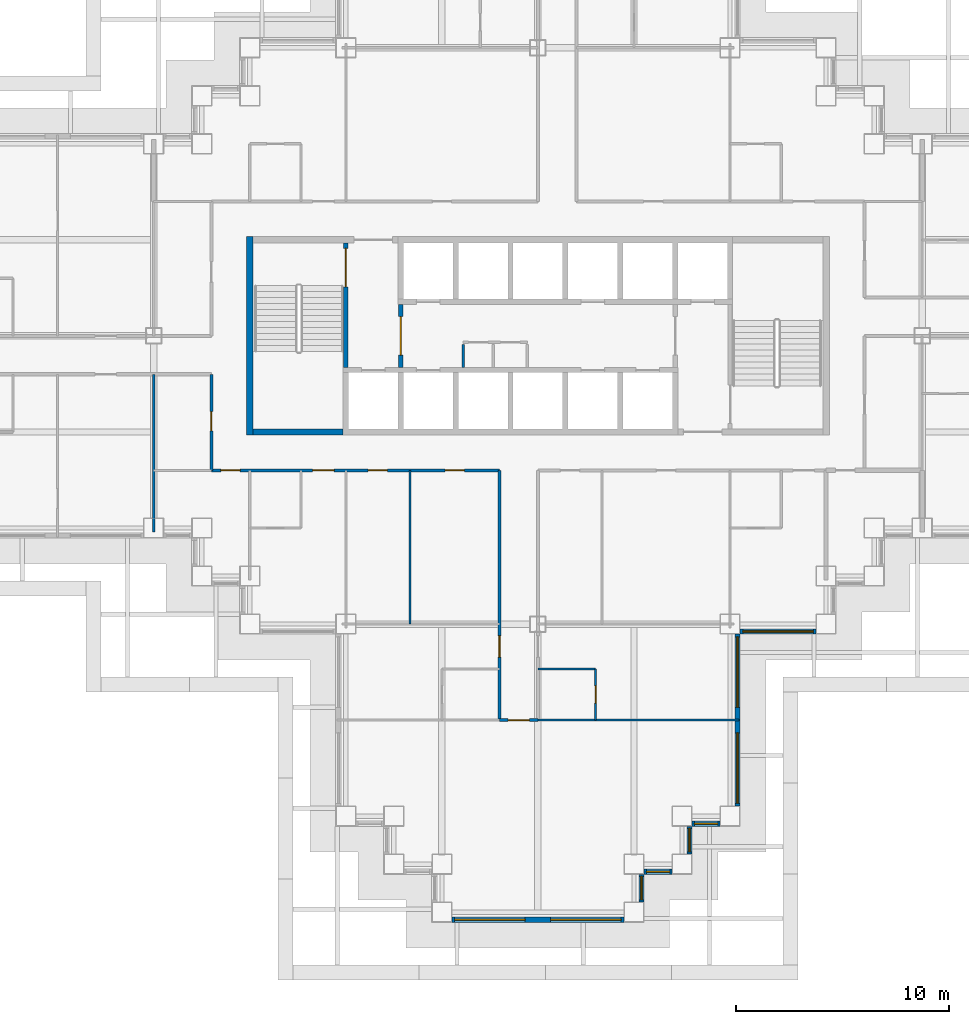
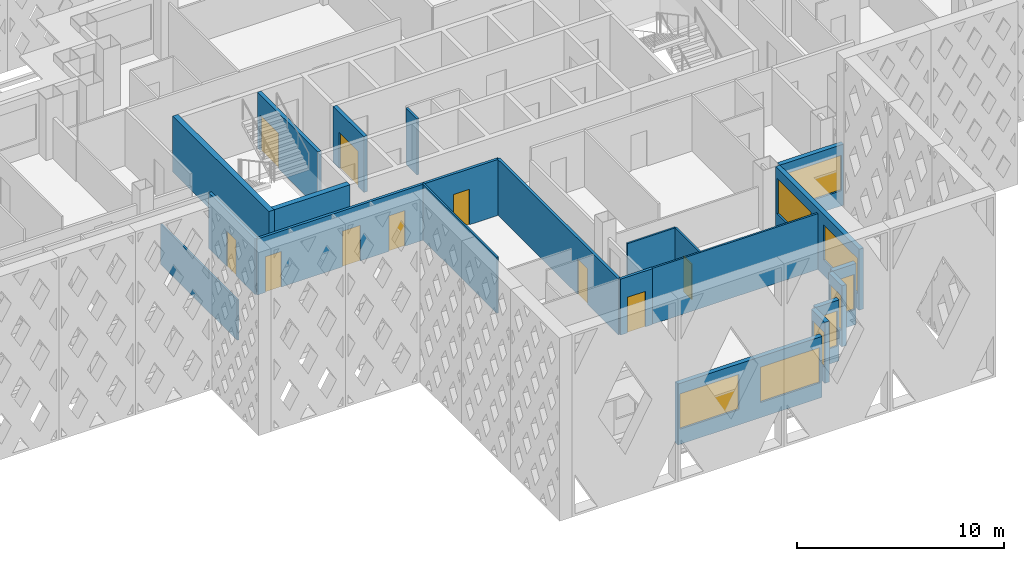
# One storey, part 4 of 19: 21 walls, 10 doors, 9 windows, 19 openings.
"""IFC4 building model written with IfcOpenShell, lengths in metres."""

import ifcopenshell
import ifcopenshell.guid

model = None  # the IFC model being written
_history = None  # IfcOwnerHistory: only IFC2X3 demands one
_inside = {}  # id of a spatial element -> (the spatial element, [elements in it])
_under = {}  # id of a project, library or spatial element -> (it, [spatial elements below it])
_declared = {}  # id of a project -> (the project, [libraries it declares])
_typed = {}  # id of a type object -> (the type object, [elements of that type])
_made_of = {}  # id of a material, layer set ... -> (it, [elements and type objects made of it])


def new_model(schema):
    """Start an empty IFC model of exactly this schema.

    Asked for "IFC4X3", IfcOpenShell would pick the latest addendum, in which some entities
    have other attributes; the version numbers below select the first issue.
    IFC2X3 requires an IfcOwnerHistory on every rooted entity: one is made here for all.
    """
    global model, _history
    if schema == "IFC4X3":
        model = ifcopenshell.file(schema_version=(4, 3, 0, 0))
    else:
        model = ifcopenshell.file(schema=schema)
    _inside.clear()
    _under.clear()
    _declared.clear()
    _typed.clear()
    _made_of.clear()
    _history = None
    if model.schema == "IFC2X3":
        org = make("IfcOrganization", Name="unknown")
        user = make(
            "IfcPersonAndOrganization",
            ThePerson=make("IfcPerson", FamilyName="unknown"),
            TheOrganization=org,
        )
        app = make(
            "IfcApplication",
            ApplicationDeveloper=org,
            Version="unknown",
            ApplicationFullName="unknown",
            ApplicationIdentifier="unknown",
        )
        _history = make(
            "IfcOwnerHistory",
            OwningUser=user,
            OwningApplication=app,
            ChangeAction="ADDED",
            CreationDate=0,
        )
    return model


def make(cls, **values):
    """One entity of the class cls with the attributes given. An attribute that is None is left unset."""
    return model.create_entity(
        cls, **{name: value for name, value in values.items() if value is not None}
    )


def rooted(cls, **values):
    """An entity with a GlobalId (a new one), such as an element, a storey or a relation."""
    return make(cls, GlobalId=ifcopenshell.guid.new(), OwnerHistory=_history, **values)


def si_unit(unit_type, name, prefix=None):
    """IfcSIUnit, for example si_unit("LENGTHUNIT", "METRE", prefix="MILLI")."""
    return make("IfcSIUnit", UnitType=unit_type, Prefix=prefix, Name=name)


def assignment(units):
    """IfcUnitAssignment: the units of a project."""
    return None if units is None else make("IfcUnitAssignment", Units=units)


def point(xyz):
    """IfcCartesianPoint."""
    return None if xyz is None else make("IfcCartesianPoint", Coordinates=xyz)


def direction(xyz):
    """IfcDirection."""
    return None if xyz is None else make("IfcDirection", DirectionRatios=xyz)


def frame(location, z_axis=None, x_axis=None):
    """IfcAxis2Placement3D, a coordinate frame: its origin and axes. An axis left out is left unset."""
    return make(
        "IfcAxis2Placement3D",
        Location=point(location),
        Axis=direction(z_axis),
        RefDirection=direction(x_axis),
    )


def frame_2d(location, x_axis=None):
    """IfcAxis2Placement2D, a coordinate frame in the plane: its origin and x axis."""
    return make(
        "IfcAxis2Placement2D", Location=point(location), RefDirection=direction(x_axis)
    )


def origin():
    """The frame at (0, 0, 0) with its axes left unset."""
    return frame((0.0, 0.0, 0.0))


def place(relative_to, where):
    """IfcLocalPlacement: puts the frame where relative to a parent placement (None: the world)."""
    return make(
        "IfcLocalPlacement", PlacementRelTo=relative_to, RelativePlacement=where
    )


def context(
    kind, dimensions, precision=None, world=None, true_north=None, identifier=None
):
    """IfcGeometricRepresentationContext, for example the 3D "Model" context."""
    return make(
        "IfcGeometricRepresentationContext",
        ContextIdentifier=identifier,
        ContextType=kind,
        CoordinateSpaceDimension=dimensions,
        Precision=precision,
        WorldCoordinateSystem=world,
        TrueNorth=true_north,
    )


def subcontext(parent, identifier, kind, view, scale=None):
    """IfcGeometricRepresentationSubContext, for example "Body" below "Model"."""
    return make(
        "IfcGeometricRepresentationSubContext",
        ContextIdentifier=identifier,
        ContextType=kind,
        ParentContext=parent,
        TargetScale=scale,
        TargetView=view,
    )


def project(units=None, contexts=None):
    """IfcProject with its units and contexts."""
    return rooted(
        "IfcProject",
        Name="project",
        RepresentationContexts=contexts,
        UnitsInContext=assignment(units),
    )


def spatial(cls, under=None, at=None, **own):
    """A site, building, storey or space (cls), placed at a placement, below another one or the project."""
    s = rooted(cls, ObjectPlacement=at, **own)
    if under is not None:
        _under.setdefault(under.id(), (under, []))[1].append(s)
    return s


def profile(cls, at=None, kind="AREA", **sizes):
    """A parametric profile (cls). Its sizes go by their IFC names, for example OverallWidth=200.0."""
    return make(cls, ProfileType=kind, Position=at, **sizes)


def rectangle(**sizes):
    """IfcRectangleProfileDef."""
    return profile("IfcRectangleProfileDef", **sizes)


def extrude(swept, where, along, depth):
    """IfcExtrudedAreaSolid: the profile swept, set in the frame where, extruded along a direction by depth."""
    return make(
        "IfcExtrudedAreaSolid",
        SweptArea=swept,
        Position=where,
        ExtrudedDirection=direction(along),
        Depth=depth,
    )


def shape(context_of_items, identifier, shape_type, items):
    """IfcShapeRepresentation: the items that make up one representation, for example the "Body"."""
    return make(
        "IfcShapeRepresentation",
        ContextOfItems=context_of_items,
        RepresentationIdentifier=identifier,
        RepresentationType=shape_type,
        Items=items,
    )


def material(Name=None, Category=None):
    """IfcMaterial."""
    return make("IfcMaterial", Name=Name, Category=Category)


def layer(
    of_material, thickness, ventilated=None, Name=None, Category=None, Priority=None
):
    """IfcMaterialLayer: one layer of a wall or slab, of a material (None: an air gap)."""
    return make(
        "IfcMaterialLayer",
        Material=of_material,
        LayerThickness=thickness,
        IsVentilated=ventilated,
        Name=Name,
        Category=Category,
        Priority=Priority,
    )


def layer_set(layers, Name=None):
    """IfcMaterialLayerSet."""
    return make("IfcMaterialLayerSet", MaterialLayers=layers, LayerSetName=Name)


def made_of(thing, what):
    """Note that an element or type object is made of a material, layer set ...; save() writes the relation."""
    if what is not None:
        _made_of.setdefault(what.id(), (what, []))[1].append(thing)
    return thing


def type_object(cls, material=None, **own):
    """A type object (cls), such as IfcWallType, which elements share."""
    return made_of(rooted(cls, **own), material)


def element(
    cls,
    number,
    at=None,
    inside=None,
    cuts=None,
    type_object=None,
    material=None,
    context=None,
    identifier="Body",
    shape_type=None,
    held_by="IfcProductDefinitionShape",
    body=None,
    shapes=None,
    **own,
):
    """One element of the class cls, such as IfcWall. Its Tag is "e" and its number.

    at: its placement. inside: the storey or other place that contains it. cuts: it is an
    opening in that element (IfcRelVoidsElement). A single representation is given by context,
    identifier, shape_type and body (its items); several are given by shapes. held_by: the class
    of the entity that holds the representations. save() writes the other relations.
    """
    e = rooted(cls, Tag="e%d" % number, ObjectPlacement=at, **own)
    if body is not None:
        shapes = [shape(context, identifier, shape_type, body)]
    if shapes is not None:
        e.Representation = make(held_by, Representations=shapes)
    if inside is not None:
        _inside.setdefault(inside.id(), (inside, []))[1].append(e)
    if cuts is not None:
        rooted(
            "IfcRelVoidsElement", RelatingBuildingElement=cuts, RelatedOpeningElement=e
        )
    if type_object is not None:
        _typed.setdefault(type_object.id(), (type_object, []))[1].append(e)
    return made_of(e, material)


def fill(opening, filler):
    """IfcRelFillsElement: the door or window that sits in an opening."""
    return rooted(
        "IfcRelFillsElement",
        RelatingOpeningElement=opening,
        RelatedBuildingElement=filler,
    )


def aggregate(whole, parts):
    """IfcRelAggregates: a whole, such as a stair, and the parts it consists of."""
    return rooted("IfcRelAggregates", RelatingObject=whole, RelatedObjects=parts)


def save(model, path):
    """Write the relations noted so far, then the file.

    IfcRelAggregates (storeys below a building ...), IfcRelContainedInSpatialStructure (elements
    in a storey), IfcRelDefinesByType, IfcRelAssociatesMaterial and IfcRelDeclares: one each for
    every whole, place, type object, material and project.
    """
    for whole, parts in _under.values():
        aggregate(whole, parts)
    for where, things in _inside.values():
        rooted(
            "IfcRelContainedInSpatialStructure",
            RelatedElements=things,
            RelatingStructure=where,
        )
    for kind, things in _typed.values():
        rooted("IfcRelDefinesByType", RelatedObjects=things, RelatingType=kind)
    for what, things in _made_of.values():
        rooted("IfcRelAssociatesMaterial", RelatedObjects=things, RelatingMaterial=what)
    for by, libraries in _declared.values():
        rooted("IfcRelDeclares", RelatingContext=by, RelatedDefinitions=libraries)
    model.write(path)


model = new_model("IFC4")

# Units and contexts
model_context = context("Model", 3, precision=1e-05, world=origin(), true_north=direction((0.0, 1.0)))
body_context = subcontext(model_context, "Body", "Model", "MODEL_VIEW")
ifc_project = project(units=[si_unit("LENGTHUNIT", "METRE"), si_unit("AREAUNIT", "SQUARE_METRE"), si_unit("VOLUMEUNIT", "CUBIC_METRE"), si_unit("PLANEANGLEUNIT", "RADIAN"), si_unit("MASSUNIT", "GRAM", prefix="KILO")], contexts=[model_context])

# Site, building, storey
site_placement = place(None, origin())
site = spatial("IfcSite", under=ifc_project, at=site_placement, CompositionType="ELEMENT")
building_placement = place(site_placement, origin())
building = spatial("IfcBuilding", under=site, at=building_placement, Name="Caravel Reach Hotel and Residences", CompositionType="ELEMENT")
storey_placement = place(building_placement, frame((0.0, 0.0, 85.199951171875)))
storey = spatial("IfcBuildingStorey", under=building, at=storey_placement, Name="L20", CompositionType="ELEMENT", Elevation=85.199951171875)

# Wall
ifc_material_1 = material(Name="Gypsum board on steel stud", Category="steel")
ifc_layer_1 = layer(ifc_material_1, 0.10009765625)
ifc_layer_set_1 = layer_set([ifc_layer_1], Name="Bathroom pod wall 100 mm")
wall_type_1 = type_object("IfcWallType", Name="Bathroom pod wall 100 mm", PredefinedType="PARTITIONING", material=ifc_layer_set_1)
wall_1_placement = place(storey_placement, frame((31.5, 11.39990234375, 0.0), z_axis=(0.0, 0.0, 1.0), x_axis=(1.0, 0.0, 0.0)))
element("IfcWall", 1, at=wall_1_placement, inside=storey, type_object=wall_type_1, Name="L20 wall w071", PredefinedType="PARTITIONING", context=body_context, shape_type="SweptSolid", body=[
    extrude(rectangle(XDim=2.699951171875, YDim=0.10009765625, at=frame_2d((1.35009765625, 0.0))), origin(), (0.0, 0.0, 1.0), 3.300048828125),
])

# Wall, opening, door
wall_2_placement = place(storey_placement, frame((34.199951171875, 9.0, 0.0), z_axis=(0.0, 0.0, 1.0), x_axis=(0.0, 1.0, 0.0)))
wall_2 = element("IfcWall", 2, at=wall_2_placement, inside=storey, type_object=wall_type_1, Name="L20 wall w088", PredefinedType="PARTITIONING", context=body_context, shape_type="SweptSolid", body=[
    extrude(rectangle(XDim=2.39990234375, YDim=0.10009765625, at=frame_2d((1.199951171875, 0.0))), origin(), (0.0, 0.0, 1.0), 3.300048828125),
])
opening_1_placement = place(wall_2_placement, frame((0.800048828125, 0.0, 0.0)))
opening_1 = element("IfcOpeningElement", 3, at=opening_1_placement, cuts=wall_2, Name="Opening D20-033", PredefinedType="OPENING", context=body_context, shape_type="SweptSolid", body=[
    extrude(rectangle(XDim=0.800048828125, YDim=2.10009765625, at=frame_2d((0.39990234375, 1.050048828125))), frame((0.0, 0.06005859375, 0.0), z_axis=(0.0, -1.0, 0.0), x_axis=(1.0, 0.0, 0.0)), (0.0, 0.0, 1.0), 0.1201171875),
])
ifc_material_2 = material(Name="Timber and steel door leaf", Category="steel")
door_type_1 = type_object("IfcDoorType", Name="Bathroom door 800 x 2100", OperationType="SINGLE_SWING_LEFT", PredefinedType="DOOR", material=ifc_material_2)
door_1_placement = place(opening_1_placement, origin())
door_1 = element("IfcDoor", 4, at=door_1_placement, inside=storey, type_object=door_type_1, Name="door D20-033", OperationType="SINGLE_SWING_LEFT", OverallHeight=2.10009765625, OverallWidth=0.800048828125, PredefinedType="DOOR", context=body_context, shape_type="SweptSolid", body=[
    extrude(rectangle(XDim=0.800048828125, YDim=2.10009765625, at=frame_2d((0.39990234375, 1.050048828125))), frame((0.0, 0.02490234375, 0.0), z_axis=(0.0, -1.0, 0.0), x_axis=(1.0, 0.0, 0.0)), (0.0, 0.0, 1.0), 0.050048828125),
])
fill(opening_1, door_1)

# Walls
ifc_material_3 = material(Name="Concrete C60", Category="concrete")
ifc_layer_2 = layer(ifc_material_3, 0.300048828125)
ifc_layer_set_2 = layer_set([ifc_layer_2], Name="Core wall 300 mm EI 120")
wall_type_2 = type_object("IfcWallType", Name="Core wall 300 mm EI 120", PredefinedType="SHEAR", material=ifc_layer_set_2)
wall_3_placement = place(storey_placement, frame((18.14990234375, 22.5, 0.0), z_axis=(0.0, 0.0, 1.0), x_axis=(1.0, 0.0, 0.0)))
element("IfcWall", 5, at=wall_3_placement, inside=storey, type_object=wall_type_2, Name="L20 core wall S1", PredefinedType="SHEAR", context=body_context, shape_type="SweptSolid", body=[
    extrude(rectangle(XDim=4.22509765625, YDim=0.300048828125, at=frame_2d((2.112548828125, 0.0))), origin(), (0.0, 0.0, 1.0), 3.300048828125),
])
wall_4_placement = place(storey_placement, frame((18.0, 22.35009765625, 0.0), z_axis=(0.0, 0.0, 1.0), x_axis=(0.0, 1.0, 0.0)))
element("IfcWall", 6, at=wall_4_placement, inside=storey, type_object=wall_type_2, Name="L20 core wall W", PredefinedType="SHEAR", context=body_context, shape_type="SweptSolid", body=[
    extrude(rectangle(XDim=9.2998046875, YDim=0.300048828125, at=frame_2d((4.64990234375, 0.0))), origin(), (0.0, 0.0, 1.0), 3.300048828125),
])

# Wall, openings, doors
ifc_material_4 = material(Name="Gypsum board on steel stud, fire-rated", Category="steel")
ifc_layer_3 = layer(ifc_material_4, 0.14990234375)
ifc_layer_set_3 = layer_set([ifc_layer_3], Name="Corridor wall 150 mm EI 60")
wall_type_3 = type_object("IfcWallType", Name="Corridor wall 150 mm EI 60", PredefinedType="PARTITIONING", material=ifc_layer_set_3)
wall_5_placement = place(storey_placement, frame((16.199951171875, 20.699951171875, 0.0), z_axis=(0.0, 0.0, 1.0), x_axis=(1.0, 0.0, 0.0)))
wall_5 = element("IfcWall", 7, at=wall_5_placement, inside=storey, type_object=wall_type_3, Name="L20 wall w007", PredefinedType="PARTITIONING", context=body_context, shape_type="SweptSolid", body=[
    extrude(rectangle(XDim=13.5, YDim=0.14990234375, at=frame_2d((6.75, 0.0))), origin(), (0.0, 0.0, 1.0), 3.300048828125),
])
opening_2_placement = place(wall_5_placement, frame((4.75, 0.0, 0.0)))
opening_2 = element("IfcOpeningElement", 8, at=opening_2_placement, cuts=wall_5, Name="Opening D20-042", PredefinedType="OPENING", context=body_context, shape_type="SweptSolid", body=[
    extrude(rectangle(XDim=1.0, YDim=2.10009765625, at=frame_2d((0.5, 1.050048828125))), frame((0.0, 0.0849609375, 0.0), z_axis=(0.0, -1.0, 0.0), x_axis=(1.0, 0.0, 0.0)), (0.0, 0.0, 1.0), 0.169921875),
])
opening_3_placement = place(wall_5_placement, frame((0.449951171875, 0.0, 0.0)))
opening_3 = element("IfcOpeningElement", 9, at=opening_3_placement, cuts=wall_5, Name="Opening D20-044", PredefinedType="OPENING", context=body_context, shape_type="SweptSolid", body=[
    extrude(rectangle(XDim=0.89990234375, YDim=2.10009765625, at=frame_2d((0.449951171875, 1.050048828125))), frame((0.0, 0.0849609375, 0.0), z_axis=(0.0, -1.0, 0.0), x_axis=(1.0, 0.0, 0.0)), (0.0, 0.0, 1.0), 0.169921875),
])
opening_4_placement = place(wall_5_placement, frame((7.35009765625, 0.0, 0.0)))
opening_4 = element("IfcOpeningElement", 10, at=opening_4_placement, cuts=wall_5, Name="Opening D20-050", PredefinedType="OPENING", context=body_context, shape_type="SweptSolid", body=[
    extrude(rectangle(XDim=0.89990234375, YDim=2.10009765625, at=frame_2d((0.449951171875, 1.050048828125))), frame((0.0, 0.0849609375, 0.0), z_axis=(0.0, -1.0, 0.0), x_axis=(1.0, 0.0, 0.0)), (0.0, 0.0, 1.0), 0.169921875),
])
opening_5_placement = place(wall_5_placement, frame((10.949951171875, 0.0, 0.0)))
opening_5 = element("IfcOpeningElement", 11, at=opening_5_placement, cuts=wall_5, Name="Opening D20-051", PredefinedType="OPENING", context=body_context, shape_type="SweptSolid", body=[
    extrude(rectangle(XDim=0.89990234375, YDim=2.10009765625, at=frame_2d((0.449951171875, 1.050048828125))), frame((0.0, 0.0849609375, 0.0), z_axis=(0.0, -1.0, 0.0), x_axis=(1.0, 0.0, 0.0)), (0.0, 0.0, 1.0), 0.169921875),
])
ifc_material_5 = material(Name="Timber and steel door leaf", Category="steel")
door_type_2 = type_object("IfcDoorType", Name="Door 900 x 2100 timber", OperationType="SINGLE_SWING_LEFT", PredefinedType="DOOR", material=ifc_material_5)
door_2_placement = place(opening_3_placement, origin())
door_2 = element("IfcDoor", 12, at=door_2_placement, inside=storey, type_object=door_type_2, Name="door D20-044", OperationType="SINGLE_SWING_RIGHT", OverallHeight=2.10009765625, OverallWidth=0.89990234375, PredefinedType="DOOR", context=body_context, shape_type="SweptSolid", body=[
    extrude(rectangle(XDim=0.89990234375, YDim=2.10009765625, at=frame_2d((0.449951171875, 1.050048828125))), frame((0.0, 0.02490234375, 0.0), z_axis=(0.0, -1.0, 0.0), x_axis=(1.0, 0.0, 0.0)), (0.0, 0.0, 1.0), 0.050048828125),
])
fill(opening_3, door_2)
door_3_placement = place(opening_4_placement, origin())
door_3 = element("IfcDoor", 13, at=door_3_placement, inside=storey, type_object=door_type_2, Name="door D20-050", OperationType="SINGLE_SWING_RIGHT", OverallHeight=2.10009765625, OverallWidth=0.89990234375, PredefinedType="DOOR", context=body_context, shape_type="SweptSolid", body=[
    extrude(rectangle(XDim=0.89990234375, YDim=2.10009765625, at=frame_2d((0.449951171875, 1.050048828125))), frame((0.0, 0.02490234375, 0.0), z_axis=(0.0, -1.0, 0.0), x_axis=(1.0, 0.0, 0.0)), (0.0, 0.0, 1.0), 0.050048828125),
])
fill(opening_4, door_3)
door_4_placement = place(opening_5_placement, origin())
door_4 = element("IfcDoor", 14, at=door_4_placement, inside=storey, type_object=door_type_2, Name="door D20-051", OperationType="SINGLE_SWING_RIGHT", OverallHeight=2.10009765625, OverallWidth=0.89990234375, PredefinedType="DOOR", context=body_context, shape_type="SweptSolid", body=[
    extrude(rectangle(XDim=0.89990234375, YDim=2.10009765625, at=frame_2d((0.449951171875, 1.050048828125))), frame((0.0, 0.02490234375, 0.0), z_axis=(0.0, -1.0, 0.0), x_axis=(1.0, 0.0, 0.0)), (0.0, 0.0, 1.0), 0.050048828125),
])
fill(opening_5, door_4)
ifc_material_6 = material(Name="Steel fire door leaf", Category="steel")
door_type_3 = type_object("IfcDoorType", Name="Guest room door 1000 x 2100 EI 30", OperationType="SINGLE_SWING_LEFT", PredefinedType="DOOR", material=ifc_material_6)
door_5_placement = place(opening_2_placement, origin())
door_5 = element("IfcDoor", 15, at=door_5_placement, inside=storey, type_object=door_type_3, Name="door D20-042", OperationType="SINGLE_SWING_RIGHT", OverallHeight=2.10009765625, OverallWidth=1.0, PredefinedType="DOOR", context=body_context, shape_type="SweptSolid", body=[
    extrude(rectangle(XDim=1.0, YDim=2.10009765625, at=frame_2d((0.5, 1.050048828125))), frame((0.0, 0.02490234375, 0.0), z_axis=(0.0, -1.0, 0.0), x_axis=(1.0, 0.0, 0.0)), (0.0, 0.0, 1.0), 0.050048828125),
])
fill(opening_2, door_5)

# Wall, opening, door
wall_6_placement = place(storey_placement, frame((29.699951171875, 9.0, 0.0), z_axis=(0.0, 0.0, 1.0), x_axis=(1.0, 0.0, 0.0)))
wall_6 = element("IfcWall", 16, at=wall_6_placement, inside=storey, type_object=wall_type_3, Name="L20 wall w023", PredefinedType="PARTITIONING", context=body_context, shape_type="SweptSolid", body=[
    extrude(rectangle(XDim=1.800048828125, YDim=0.14990234375, at=frame_2d((0.89990234375, 0.0))), origin(), (0.0, 0.0, 1.0), 3.300048828125),
])
opening_6_placement = place(wall_6_placement, frame((0.39990234375, 0.0, 0.0)))
opening_6 = element("IfcOpeningElement", 17, at=opening_6_placement, cuts=wall_6, Name="Opening D20-037", PredefinedType="OPENING", context=body_context, shape_type="SweptSolid", body=[
    extrude(rectangle(XDim=1.0, YDim=2.10009765625, at=frame_2d((0.5, 1.050048828125))), frame((0.0, 0.0849609375, 0.0), z_axis=(0.0, -1.0, 0.0), x_axis=(1.0, 0.0, 0.0)), (0.0, 0.0, 1.0), 0.169921875),
])
door_6_placement = place(opening_6_placement, origin())
door_6 = element("IfcDoor", 18, at=door_6_placement, inside=storey, type_object=door_type_3, Name="door D20-037", OperationType="SINGLE_SWING_LEFT", OverallHeight=2.10009765625, OverallWidth=1.0, PredefinedType="DOOR", context=body_context, shape_type="SweptSolid", body=[
    extrude(rectangle(XDim=1.0, YDim=2.10009765625, at=frame_2d((0.5, 1.050048828125))), frame((0.0, 0.02490234375, 0.0), z_axis=(0.0, -1.0, 0.0), x_axis=(1.0, 0.0, 0.0)), (0.0, 0.0, 1.0), 0.050048828125),
])
fill(opening_6, door_6)

wall_7_placement = place(storey_placement, frame((16.199951171875, 20.699951171875, 0.0), z_axis=(0.0, 0.0, 1.0), x_axis=(0.0, 1.0, 0.0)))
wall_7 = element("IfcWall", 19, at=wall_7_placement, inside=storey, type_object=wall_type_3, Name="L20 wall w025", PredefinedType="PARTITIONING", context=body_context, shape_type="SweptSolid", body=[
    extrude(rectangle(XDim=4.5, YDim=0.14990234375, at=frame_2d((2.25, 0.0))), origin(), (0.0, 0.0, 1.0), 3.300048828125),
])
opening_7_placement = place(wall_7_placement, frame((1.85009765625, 0.0, 0.0)))
opening_7 = element("IfcOpeningElement", 20, at=opening_7_placement, cuts=wall_7, Name="Opening D20-054", PredefinedType="OPENING", context=body_context, shape_type="SweptSolid", body=[
    extrude(rectangle(XDim=0.89990234375, YDim=2.10009765625, at=frame_2d((0.449951171875, 1.050048828125))), frame((0.0, 0.0849609375, 0.0), z_axis=(0.0, -1.0, 0.0), x_axis=(1.0, 0.0, 0.0)), (0.0, 0.0, 1.0), 0.169921875),
])
door_7_placement = place(opening_7_placement, origin())
door_7 = element("IfcDoor", 21, at=door_7_placement, inside=storey, type_object=door_type_2, Name="door D20-054", OperationType="SINGLE_SWING_RIGHT", OverallHeight=2.10009765625, OverallWidth=0.89990234375, PredefinedType="DOOR", context=body_context, shape_type="SweptSolid", body=[
    extrude(rectangle(XDim=0.89990234375, YDim=2.10009765625, at=frame_2d((0.449951171875, 1.050048828125))), frame((0.0, 0.02490234375, 0.0), z_axis=(0.0, -1.0, 0.0), x_axis=(1.0, 0.0, 0.0)), (0.0, 0.0, 1.0), 0.050048828125),
])
fill(opening_7, door_7)

wall_8_placement = place(storey_placement, frame((29.699951171875, 9.0, 0.0), z_axis=(0.0, 0.0, 1.0), x_axis=(0.0, 1.0, 0.0)))
wall_8 = element("IfcWall", 22, at=wall_8_placement, inside=storey, type_object=wall_type_3, Name="L20 wall w026", PredefinedType="PARTITIONING", context=body_context, shape_type="SweptSolid", body=[
    extrude(rectangle(XDim=11.699951171875, YDim=0.14990234375, at=frame_2d((5.85009765625, 0.0))), origin(), (0.0, 0.0, 1.0), 3.300048828125),
])
opening_8_placement = place(wall_8_placement, frame((2.949951171875, 0.0, 0.0)))
opening_8 = element("IfcOpeningElement", 23, at=opening_8_placement, cuts=wall_8, Name="Opening D20-030", PredefinedType="OPENING", context=body_context, shape_type="SweptSolid", body=[
    extrude(rectangle(XDim=1.0, YDim=2.10009765625, at=frame_2d((0.5, 1.050048828125))), frame((0.0, 0.0849609375, 0.0), z_axis=(0.0, -1.0, 0.0), x_axis=(1.0, 0.0, 0.0)), (0.0, 0.0, 1.0), 0.169921875),
])
door_8_placement = place(opening_8_placement, origin())
door_8 = element("IfcDoor", 24, at=door_8_placement, inside=storey, type_object=door_type_3, Name="door D20-030", OperationType="SINGLE_SWING_RIGHT", OverallHeight=2.10009765625, OverallWidth=1.0, PredefinedType="DOOR", context=body_context, shape_type="SweptSolid", body=[
    extrude(rectangle(XDim=1.0, YDim=2.10009765625, at=frame_2d((0.5, 1.050048828125))), frame((0.0, 0.02490234375, 0.0), z_axis=(0.0, -1.0, 0.0), x_axis=(1.0, 0.0, 0.0)), (0.0, 0.0, 1.0), 0.050048828125),
])
fill(opening_8, door_8)

# Wall, openings, windows
ifc_material_7 = material(Name="Insulated rainscreen wall, aluminium cladding", Category="aluminium")
ifc_layer_4 = layer(ifc_material_7, 0.25)
ifc_layer_set_4 = layer_set([ifc_layer_4], Name="EW1 Tower rainscreen wall")
wall_type_4 = type_object("IfcWallType", Name="EW1 Tower rainscreen wall", PredefinedType="SOLIDWALL", material=ifc_layer_set_4)
wall_9_placement = place(storey_placement, frame((27.47509765625, -0.35009765625, 0.0), z_axis=(0.0, 0.0, 1.0), x_axis=(1.0, 0.0, 0.0)))
wall_9 = element("IfcWall", 25, at=wall_9_placement, inside=storey, type_object=wall_type_4, Name="External wall L20 S5.1", PredefinedType="SOLIDWALL", context=body_context, shape_type="SweptSolid", body=[
    extrude(rectangle(XDim=8.0498046875, YDim=0.25, at=frame_2d((4.02490234375, 0.0))), origin(), (0.0, 0.0, 1.0), 3.60009765625),
])
opening_9_placement = place(wall_9_placement, frame((0.125, 0.0, 0.89990234375)))
opening_9 = element("IfcOpeningElement", 26, at=opening_9_placement, cuts=wall_9, Name="Opening WN4", PredefinedType="OPENING", context=body_context, shape_type="SweptSolid", body=[
    extrude(rectangle(XDim=3.300048828125, YDim=2.080078125, at=frame_2d((1.64990234375, 1.0400390625))), frame((0.0, 0.135009765625, 0.0), z_axis=(0.0, -1.0, 0.0), x_axis=(1.0, 0.0, 0.0)), (0.0, 0.0, 1.0), 0.27001953125),
])
opening_10_placement = place(wall_9_placement, frame((4.625, 0.0, 0.89990234375)))
opening_10 = element("IfcOpeningElement", 27, at=opening_10_placement, cuts=wall_9, Name="Opening WN4", PredefinedType="OPENING", context=body_context, shape_type="SweptSolid", body=[
    extrude(rectangle(XDim=3.300048828125, YDim=2.080078125, at=frame_2d((1.64990234375, 1.0400390625))), frame((0.0, 0.135009765625, 0.0), z_axis=(0.0, -1.0, 0.0), x_axis=(1.0, 0.0, 0.0)), (0.0, 0.0, 1.0), 0.27001953125),
])
ifc_material_8 = material(Name="Dark low-e glazing in black aluminium frame", Category="aluminium")
window_type_1 = type_object("IfcWindowType", Name="Hotel guest room window 3300 x 2080", PartitioningType="SINGLE_PANEL", PredefinedType="WINDOW", material=ifc_material_8)
window_1_placement = place(opening_9_placement, origin())
window_1 = element("IfcWindow", 28, at=window_1_placement, inside=storey, type_object=window_type_1, Name="Window L20 S5.1.1", OverallHeight=2.080078125, OverallWidth=3.300048828125, PartitioningType="SINGLE_PANEL", PredefinedType="WINDOW", context=body_context, shape_type="SweptSolid", body=[
    extrude(rectangle(XDim=3.300048828125, YDim=2.080078125, at=frame_2d((1.64990234375, 1.0400390625))), frame((0.0, 0.030029296875, 0.0), z_axis=(0.0, -1.0, 0.0), x_axis=(1.0, 0.0, 0.0)), (0.0, 0.0, 1.0), 0.06005859375),
])
fill(opening_9, window_1)
window_2_placement = place(opening_10_placement, origin())
window_2 = element("IfcWindow", 29, at=window_2_placement, inside=storey, type_object=window_type_1, Name="Window L20 S5.1.2", OverallHeight=2.080078125, OverallWidth=3.300048828125, PartitioningType="SINGLE_PANEL", PredefinedType="WINDOW", context=body_context, shape_type="SweptSolid", body=[
    extrude(rectangle(XDim=3.300048828125, YDim=2.080078125, at=frame_2d((1.64990234375, 1.0400390625))), frame((0.0, 0.030029296875, 0.0), z_axis=(0.0, -1.0, 0.0), x_axis=(1.0, 0.0, 0.0)), (0.0, 0.0, 1.0), 0.06005859375),
])
fill(opening_10, window_2)

# Wall, opening, window
wall_10_placement = place(storey_placement, frame((36.35009765625, 0.47509765625, 0.0), z_axis=(0.0, 0.0, 1.0), x_axis=(0.0, 1.0, 0.0)))
wall_10 = element("IfcWall", 30, at=wall_10_placement, inside=storey, type_object=wall_type_4, Name="External wall L20 E6.1", PredefinedType="SOLIDWALL", context=body_context, shape_type="SweptSolid", body=[
    extrude(rectangle(XDim=1.2998046875, YDim=0.25, at=frame_2d((0.64990234375, 0.0))), origin(), (0.0, 0.0, 1.0), 3.60009765625),
])
opening_11_placement = place(wall_10_placement, frame((0.10009765625, 0.0, 0.89990234375)))
opening_11 = element("IfcOpeningElement", 31, at=opening_11_placement, cuts=wall_10, Name="Opening WN5", PredefinedType="OPENING", context=body_context, shape_type="SweptSolid", body=[
    extrude(rectangle(XDim=1.10009765625, YDim=2.080078125, at=frame_2d((0.550048828125, 1.0400390625))), frame((0.0, 0.135009765625, 0.0), z_axis=(0.0, -1.0, 0.0), x_axis=(1.0, 0.0, 0.0)), (0.0, 0.0, 1.0), 0.27001953125),
])
ifc_material_9 = material(Name="Dark low-e glazing in black aluminium frame", Category="aluminium")
window_type_2 = type_object("IfcWindowType", Name="Hotel suite corner window 1100 x 2080", PartitioningType="SINGLE_PANEL", PredefinedType="WINDOW", material=ifc_material_9)
window_3_placement = place(opening_11_placement, origin())
window_3 = element("IfcWindow", 32, at=window_3_placement, inside=storey, type_object=window_type_2, Name="Window L20 E6.1.1", OverallHeight=2.080078125, OverallWidth=1.10009765625, PartitioningType="SINGLE_PANEL", PredefinedType="WINDOW", context=body_context, shape_type="SweptSolid", body=[
    extrude(rectangle(XDim=1.10009765625, YDim=2.080078125, at=frame_2d((0.550048828125, 1.0400390625))), frame((0.0, 0.030029296875, 0.0), z_axis=(0.0, -1.0, 0.0), x_axis=(1.0, 0.0, 0.0)), (0.0, 0.0, 1.0), 0.06005859375),
])
fill(opening_11, window_3)

wall_11_placement = place(storey_placement, frame((36.47509765625, 1.89990234375, 0.0), z_axis=(0.0, 0.0, 1.0), x_axis=(1.0, 0.0, 0.0)))
wall_11 = element("IfcWall", 33, at=wall_11_placement, inside=storey, type_object=wall_type_4, Name="External wall L20 S7.1", PredefinedType="SOLIDWALL", context=body_context, shape_type="SweptSolid", body=[
    extrude(rectangle(XDim=1.2998046875, YDim=0.25, at=frame_2d((0.64990234375, 0.0))), origin(), (0.0, 0.0, 1.0), 3.60009765625),
])
opening_12_placement = place(wall_11_placement, frame((0.10009765625, 0.0, 0.89990234375)))
opening_12 = element("IfcOpeningElement", 34, at=opening_12_placement, cuts=wall_11, Name="Opening WN5", PredefinedType="OPENING", context=body_context, shape_type="SweptSolid", body=[
    extrude(rectangle(XDim=1.10009765625, YDim=2.080078125, at=frame_2d((0.550048828125, 1.0400390625))), frame((0.0, 0.135009765625, 0.0), z_axis=(0.0, -1.0, 0.0), x_axis=(1.0, 0.0, 0.0)), (0.0, 0.0, 1.0), 0.27001953125),
])
window_4_placement = place(opening_12_placement, origin())
window_4 = element("IfcWindow", 35, at=window_4_placement, inside=storey, type_object=window_type_2, Name="Window L20 S7.1.1", OverallHeight=2.080078125, OverallWidth=1.10009765625, PartitioningType="SINGLE_PANEL", PredefinedType="WINDOW", context=body_context, shape_type="SweptSolid", body=[
    extrude(rectangle(XDim=1.10009765625, YDim=2.080078125, at=frame_2d((0.550048828125, 1.0400390625))), frame((0.0, 0.030029296875, 0.0), z_axis=(0.0, -1.0, 0.0), x_axis=(1.0, 0.0, 0.0)), (0.0, 0.0, 1.0), 0.06005859375),
])
fill(opening_12, window_4)

wall_12_placement = place(storey_placement, frame((38.60009765625, 2.72509765625, 0.0), z_axis=(0.0, 0.0, 1.0), x_axis=(0.0, 1.0, 0.0)))
wall_12 = element("IfcWall", 36, at=wall_12_placement, inside=storey, type_object=wall_type_4, Name="External wall L20 E8.1", PredefinedType="SOLIDWALL", context=body_context, shape_type="SweptSolid", body=[
    extrude(rectangle(XDim=1.2998046875, YDim=0.25, at=frame_2d((0.64990234375, 0.0))), origin(), (0.0, 0.0, 1.0), 3.60009765625),
])
opening_13_placement = place(wall_12_placement, frame((0.10009765625, 0.0, 0.89990234375)))
opening_13 = element("IfcOpeningElement", 37, at=opening_13_placement, cuts=wall_12, Name="Opening WN5", PredefinedType="OPENING", context=body_context, shape_type="SweptSolid", body=[
    extrude(rectangle(XDim=1.10009765625, YDim=2.080078125, at=frame_2d((0.550048828125, 1.0400390625))), frame((0.0, 0.135009765625, 0.0), z_axis=(0.0, -1.0, 0.0), x_axis=(1.0, 0.0, 0.0)), (0.0, 0.0, 1.0), 0.27001953125),
])
window_5_placement = place(opening_13_placement, origin())
window_5 = element("IfcWindow", 38, at=window_5_placement, inside=storey, type_object=window_type_2, Name="Window L20 E8.1.1", OverallHeight=2.080078125, OverallWidth=1.10009765625, PartitioningType="SINGLE_PANEL", PredefinedType="WINDOW", context=body_context, shape_type="SweptSolid", body=[
    extrude(rectangle(XDim=1.10009765625, YDim=2.080078125, at=frame_2d((0.550048828125, 1.0400390625))), frame((0.0, 0.030029296875, 0.0), z_axis=(0.0, -1.0, 0.0), x_axis=(1.0, 0.0, 0.0)), (0.0, 0.0, 1.0), 0.06005859375),
])
fill(opening_13, window_5)

wall_13_placement = place(storey_placement, frame((38.72509765625, 4.14990234375, 0.0), z_axis=(0.0, 0.0, 1.0), x_axis=(1.0, 0.0, 0.0)))
wall_13 = element("IfcWall", 39, at=wall_13_placement, inside=storey, type_object=wall_type_4, Name="External wall L20 S9.1", PredefinedType="SOLIDWALL", context=body_context, shape_type="SweptSolid", body=[
    extrude(rectangle(XDim=1.2998046875, YDim=0.25, at=frame_2d((0.64990234375, 0.0))), origin(), (0.0, 0.0, 1.0), 3.60009765625),
])
opening_14_placement = place(wall_13_placement, frame((0.10009765625, 0.0, 0.89990234375)))
opening_14 = element("IfcOpeningElement", 40, at=opening_14_placement, cuts=wall_13, Name="Opening WN5", PredefinedType="OPENING", context=body_context, shape_type="SweptSolid", body=[
    extrude(rectangle(XDim=1.10009765625, YDim=2.080078125, at=frame_2d((0.550048828125, 1.0400390625))), frame((0.0, 0.135009765625, 0.0), z_axis=(0.0, -1.0, 0.0), x_axis=(1.0, 0.0, 0.0)), (0.0, 0.0, 1.0), 0.27001953125),
])
window_6_placement = place(opening_14_placement, origin())
window_6 = element("IfcWindow", 41, at=window_6_placement, inside=storey, type_object=window_type_2, Name="Window L20 S9.1.1", OverallHeight=2.080078125, OverallWidth=1.10009765625, PartitioningType="SINGLE_PANEL", PredefinedType="WINDOW", context=body_context, shape_type="SweptSolid", body=[
    extrude(rectangle(XDim=1.10009765625, YDim=2.080078125, at=frame_2d((0.550048828125, 1.0400390625))), frame((0.0, 0.030029296875, 0.0), z_axis=(0.0, -1.0, 0.0), x_axis=(1.0, 0.0, 0.0)), (0.0, 0.0, 1.0), 0.06005859375),
])
fill(opening_14, window_6)

# Wall, openings, windows
wall_14_placement = place(storey_placement, frame((40.85009765625, 4.97509765625, 0.0), z_axis=(0.0, 0.0, 1.0), x_axis=(0.0, 1.0, 0.0)))
wall_14 = element("IfcWall", 42, at=wall_14_placement, inside=storey, type_object=wall_type_4, Name="External wall L20 E10.1", PredefinedType="SOLIDWALL", context=body_context, shape_type="SweptSolid", body=[
    extrude(rectangle(XDim=8.0498046875, YDim=0.25, at=frame_2d((4.02490234375, 0.0))), origin(), (0.0, 0.0, 1.0), 3.60009765625),
])
opening_15_placement = place(wall_14_placement, frame((0.125, 0.0, 0.89990234375)))
opening_15 = element("IfcOpeningElement", 43, at=opening_15_placement, cuts=wall_14, Name="Opening WN4", PredefinedType="OPENING", context=body_context, shape_type="SweptSolid", body=[
    extrude(rectangle(XDim=3.300048828125, YDim=2.080078125, at=frame_2d((1.64990234375, 1.0400390625))), frame((0.0, 0.135009765625, 0.0), z_axis=(0.0, -1.0, 0.0), x_axis=(1.0, 0.0, 0.0)), (0.0, 0.0, 1.0), 0.27001953125),
])
opening_16_placement = place(wall_14_placement, frame((4.625, 0.0, 0.89990234375)))
opening_16 = element("IfcOpeningElement", 44, at=opening_16_placement, cuts=wall_14, Name="Opening WN4", PredefinedType="OPENING", context=body_context, shape_type="SweptSolid", body=[
    extrude(rectangle(XDim=3.300048828125, YDim=2.080078125, at=frame_2d((1.64990234375, 1.0400390625))), frame((0.0, 0.135009765625, 0.0), z_axis=(0.0, -1.0, 0.0), x_axis=(1.0, 0.0, 0.0)), (0.0, 0.0, 1.0), 0.27001953125),
])
window_7_placement = place(opening_15_placement, origin())
window_7 = element("IfcWindow", 45, at=window_7_placement, inside=storey, type_object=window_type_1, Name="Window L20 E10.1.1", OverallHeight=2.080078125, OverallWidth=3.300048828125, PartitioningType="SINGLE_PANEL", PredefinedType="WINDOW", context=body_context, shape_type="SweptSolid", body=[
    extrude(rectangle(XDim=3.300048828125, YDim=2.080078125, at=frame_2d((1.64990234375, 1.0400390625))), frame((0.0, 0.030029296875, 0.0), z_axis=(0.0, -1.0, 0.0), x_axis=(1.0, 0.0, 0.0)), (0.0, 0.0, 1.0), 0.06005859375),
])
fill(opening_15, window_7)
window_8_placement = place(opening_16_placement, origin())
window_8 = element("IfcWindow", 46, at=window_8_placement, inside=storey, type_object=window_type_1, Name="Window L20 E10.1.2", OverallHeight=2.080078125, OverallWidth=3.300048828125, PartitioningType="SINGLE_PANEL", PredefinedType="WINDOW", context=body_context, shape_type="SweptSolid", body=[
    extrude(rectangle(XDim=3.300048828125, YDim=2.080078125, at=frame_2d((1.64990234375, 1.0400390625))), frame((0.0, 0.030029296875, 0.0), z_axis=(0.0, -1.0, 0.0), x_axis=(1.0, 0.0, 0.0)), (0.0, 0.0, 1.0), 0.06005859375),
])
fill(opening_16, window_8)

# Wall, opening, window
wall_15_placement = place(storey_placement, frame((40.97509765625, 13.14990234375, 0.0), z_axis=(0.0, 0.0, 1.0), x_axis=(1.0, 0.0, 0.0)))
wall_15 = element("IfcWall", 47, at=wall_15_placement, inside=storey, type_object=wall_type_4, Name="External wall L20 S11.1", PredefinedType="SOLIDWALL", context=body_context, shape_type="SweptSolid", body=[
    extrude(rectangle(XDim=3.5498046875, YDim=0.25, at=frame_2d((1.77490234375, 0.0))), origin(), (0.0, 0.0, 1.0), 3.60009765625),
])
opening_17_placement = place(wall_15_placement, frame((0.125, 0.0, 0.89990234375)))
opening_17 = element("IfcOpeningElement", 48, at=opening_17_placement, cuts=wall_15, Name="Opening WN4", PredefinedType="OPENING", context=body_context, shape_type="SweptSolid", body=[
    extrude(rectangle(XDim=3.300048828125, YDim=2.080078125, at=frame_2d((1.64990234375, 1.0400390625))), frame((0.0, 0.135009765625, 0.0), z_axis=(0.0, -1.0, 0.0), x_axis=(1.0, 0.0, 0.0)), (0.0, 0.0, 1.0), 0.27001953125),
])
window_9_placement = place(opening_17_placement, origin())
window_9 = element("IfcWindow", 49, at=window_9_placement, inside=storey, type_object=window_type_1, Name="Window L20 S11.1.1", OverallHeight=2.080078125, OverallWidth=3.300048828125, PartitioningType="SINGLE_PANEL", PredefinedType="WINDOW", context=body_context, shape_type="SweptSolid", body=[
    extrude(rectangle(XDim=3.300048828125, YDim=2.080078125, at=frame_2d((1.64990234375, 1.0400390625))), frame((0.0, 0.030029296875, 0.0), z_axis=(0.0, -1.0, 0.0), x_axis=(1.0, 0.0, 0.0)), (0.0, 0.0, 1.0), 0.06005859375),
])
fill(opening_17, window_9)

# Wall, opening, door
ifc_material_10 = material(Name="Autoclaved aerated block wall")
ifc_layer_5 = layer(ifc_material_10, 0.199951171875)
ifc_layer_set_5 = layer_set([ifc_layer_5], Name="Fire lobby wall 200 mm EI 120")
wall_type_5 = type_object("IfcWallType", Name="Fire lobby wall 200 mm EI 120", PredefinedType="PARTITIONING", material=ifc_layer_set_5)
wall_16_placement = place(storey_placement, frame((25.071533203125, 25.52490234375, 0.0), z_axis=(0.0, 0.0, 1.0), x_axis=(0.0, 1.0, 0.0)))
wall_16 = element("IfcWall", 50, at=wall_16_placement, inside=storey, type_object=wall_type_5, Name="L20 lobby W wall", PredefinedType="PARTITIONING", context=body_context, shape_type="SweptSolid", body=[
    extrude(rectangle(XDim=2.9501953125, YDim=0.199951171875, at=frame_2d((1.47509765625, 0.0))), origin(), (0.0, 0.0, 1.0), 3.300048828125),
])
opening_18_placement = place(wall_16_placement, frame((0.574951171875, 0.0, 0.0)))
opening_18 = element("IfcOpeningElement", 51, at=opening_18_placement, cuts=wall_16, Name="Opening D20-012", PredefinedType="OPENING", context=body_context, shape_type="SweptSolid", body=[
    extrude(rectangle(XDim=1.800048828125, YDim=2.10009765625, at=frame_2d((0.89990234375, 1.050048828125))), frame((0.0, 0.10986328125, 0.0), z_axis=(0.0, -1.0, 0.0), x_axis=(1.0, 0.0, 0.0)), (0.0, 0.0, 1.0), 0.219970703125),
])
ifc_material_11 = material(Name="Steel fire door leaf", Category="steel")
door_type_4 = type_object("IfcDoorType", Name="Fire lobby door pair 1800 x 2100 EI 90", OperationType="DOUBLE_DOOR_SINGLE_SWING", PredefinedType="DOOR", material=ifc_material_11)
door_9_placement = place(opening_18_placement, origin())
door_9 = element("IfcDoor", 52, at=door_9_placement, inside=storey, type_object=door_type_4, Name="lobby W door pair", OperationType="DOUBLE_DOOR_SINGLE_SWING", OverallHeight=2.10009765625, OverallWidth=1.800048828125, PredefinedType="DOOR", context=body_context, shape_type="SweptSolid", body=[
    extrude(rectangle(XDim=1.800048828125, YDim=2.10009765625, at=frame_2d((0.89990234375, 1.050048828125))), frame((0.0, 0.02490234375, 0.0), z_axis=(0.0, -1.0, 0.0), x_axis=(1.0, 0.0, 0.0)), (0.0, 0.0, 1.0), 0.050048828125),
])
fill(opening_18, door_9)

# Walls
ifc_material_12 = material(Name="Gypsum board on steel stud", Category="steel")
ifc_layer_6 = layer(ifc_material_12, 0.10009765625)
ifc_layer_set_6 = layer_set([ifc_layer_6], Name="Partition 100 mm")
wall_type_6 = type_object("IfcWallType", Name="Partition 100 mm", PredefinedType="PARTITIONING", material=ifc_layer_set_6)
wall_17_placement = place(storey_placement, frame((31.5, 9.0, 0.0), z_axis=(0.0, 0.0, 1.0), x_axis=(1.0, 0.0, 0.0)))
element("IfcWall", 53, at=wall_17_placement, inside=storey, type_object=wall_type_6, Name="L20 wall w049", PredefinedType="PARTITIONING", context=body_context, shape_type="SweptSolid", body=[
    extrude(rectangle(XDim=9.4150390625, YDim=0.10009765625, at=frame_2d((4.70751953125, 0.0))), origin(), (0.0, 0.0, 1.0), 3.300048828125),
])
wall_18_placement = place(storey_placement, frame((13.5, 17.81005859375, 0.0), z_axis=(0.0, 0.0, 1.0), x_axis=(0.0, 1.0, 0.0)))
element("IfcWall", 54, at=wall_18_placement, inside=storey, type_object=wall_type_6, Name="L20 wall w053", PredefinedType="PARTITIONING", context=body_context, shape_type="SweptSolid", body=[
    extrude(rectangle(XDim=7.389892578125, YDim=0.10009765625, at=frame_2d((3.69482421875, 0.0))), origin(), (0.0, 0.0, 1.0), 2.380126953125),
])
wall_19_placement = place(storey_placement, frame((25.5, 13.5, 0.0), z_axis=(0.0, 0.0, 1.0), x_axis=(0.0, 1.0, 0.0)))
element("IfcWall", 55, at=wall_19_placement, inside=storey, type_object=wall_type_6, Name="L20 wall w057", PredefinedType="PARTITIONING", context=body_context, shape_type="SweptSolid", body=[
    extrude(rectangle(XDim=7.199951171875, YDim=0.10009765625, at=frame_2d((3.60009765625, 0.0))), origin(), (0.0, 0.0, 1.0), 3.300048828125),
])
ifc_material_13 = material(Name="Autoclaved aerated block wall")
ifc_layer_7 = layer(ifc_material_13, 0.125)
ifc_layer_set_7 = layer_set([ifc_layer_7], Name="Riser wall 125 mm EI 60")
wall_type_7 = type_object("IfcWallType", Name="Riser wall 125 mm EI 60", PredefinedType="PARTITIONING", material=ifc_layer_set_7)
wall_20_placement = place(storey_placement, frame((28.0, 25.52490234375, 0.0), z_axis=(0.0, 0.0, 1.0), x_axis=(0.0, 1.0, 0.0)))
element("IfcWall", 56, at=wall_20_placement, inside=storey, type_object=wall_type_7, Name="L20 service room partition S1", PredefinedType="PARTITIONING", context=body_context, shape_type="SweptSolid", body=[
    extrude(rectangle(XDim=1.0751953125, YDim=0.125, at=frame_2d((0.53759765625, 0.0))), origin(), (0.0, 0.0, 1.0), 3.300048828125),
])

# Wall, opening, door
ifc_material_14 = material(Name="Concrete C60", Category="concrete")
ifc_layer_8 = layer(ifc_material_14, 0.199951171875)
ifc_layer_set_8 = layer_set([ifc_layer_8], Name="Stair enclosure wall 200 mm EI 120")
wall_type_8 = type_object("IfcWallType", Name="Stair enclosure wall 200 mm EI 120", PredefinedType="SHEAR", material=ifc_layer_set_8)
wall_21_placement = place(storey_placement, frame((22.5, 31.35009765625, 0.0), z_axis=(0.0, 0.0, 1.0), x_axis=(0.0, -1.0, 0.0)))
wall_21 = element("IfcWall", 57, at=wall_21_placement, inside=storey, type_object=wall_type_8, Name="L20 stair A wall", PredefinedType="SHEAR", context=body_context, shape_type="SweptSolid", body=[
    extrude(rectangle(XDim=5.8251953125, YDim=0.199951171875, at=frame_2d((2.91259765625, 0.0))), origin(), (0.0, 0.0, 1.0), 3.300048828125),
])
opening_19_placement = place(wall_21_placement, frame((0.25, 0.0, 0.0)))
opening_19 = element("IfcOpeningElement", 58, at=opening_19_placement, cuts=wall_21, Name="Opening D20-010", PredefinedType="OPENING", context=body_context, shape_type="SweptSolid", body=[
    extrude(rectangle(XDim=1.800048828125, YDim=2.10009765625, at=frame_2d((0.89990234375, 1.050048828125))), frame((0.0, 0.10986328125, 0.0), z_axis=(0.0, -1.0, 0.0), x_axis=(1.0, 0.0, 0.0)), (0.0, 0.0, 1.0), 0.219970703125),
])
ifc_material_15 = material(Name="Steel fire door leaf", Category="steel")
door_type_5 = type_object("IfcDoorType", Name="Stair door pair 1800 x 2100 EI 90", OperationType="DOUBLE_DOOR_SINGLE_SWING", PredefinedType="DOOR", material=ifc_material_15)
door_10_placement = place(opening_19_placement, origin())
door_10 = element("IfcDoor", 59, at=door_10_placement, inside=storey, type_object=door_type_5, Name="stair A door pair", OperationType="DOUBLE_DOOR_SINGLE_SWING", OverallHeight=2.10009765625, OverallWidth=1.800048828125, PredefinedType="DOOR", context=body_context, shape_type="SweptSolid", body=[
    extrude(rectangle(XDim=1.800048828125, YDim=2.10009765625, at=frame_2d((0.89990234375, 1.050048828125))), frame((0.0, 0.02490234375, 0.0), z_axis=(0.0, -1.0, 0.0), x_axis=(1.0, 0.0, 0.0)), (0.0, 0.0, 1.0), 0.050048828125),
])
fill(opening_19, door_10)

save(model, "model.ifc")
